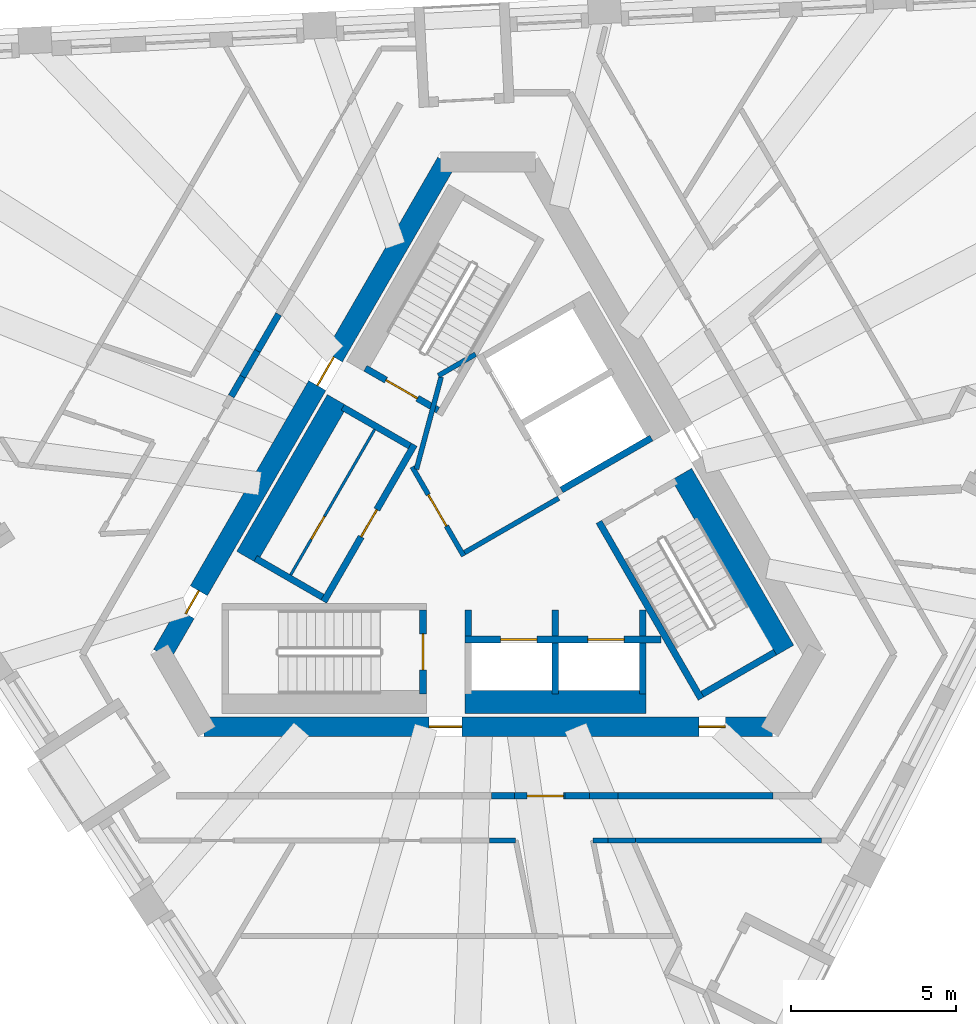
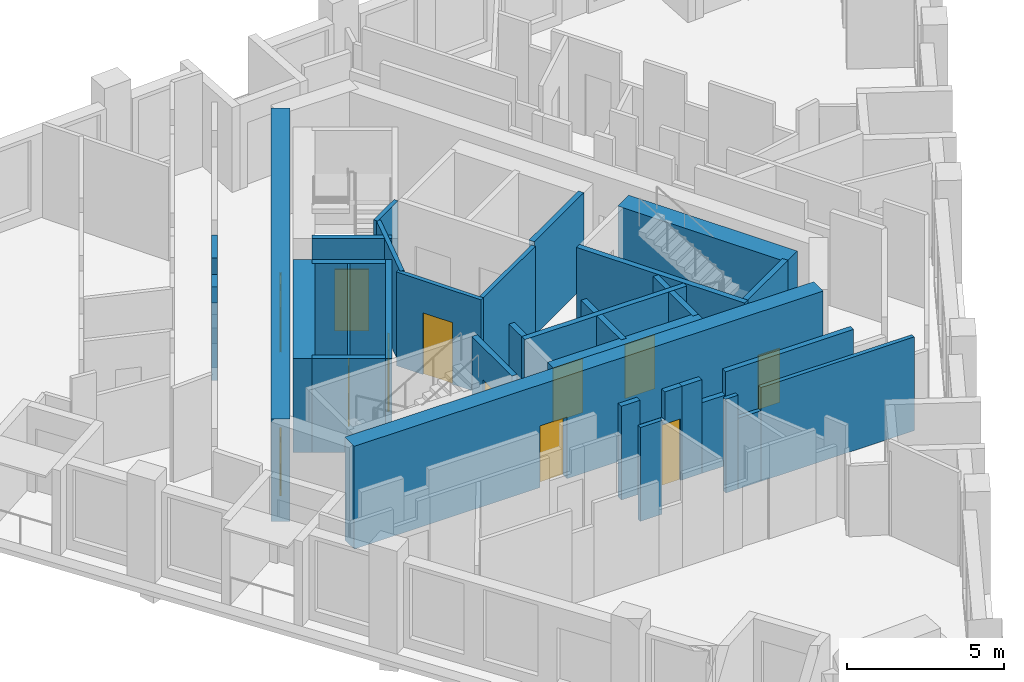
# One storey, part 4 of 12: 36 walls, 12 doors, 12 openings.
"""IFC4 building model written with IfcOpenShell, lengths in metres."""

from ifc_helpers import new_model, si_unit, direction, frame, frame_2d, origin, place, context, subcontext, project, spatial, polyline, rectangle, outline, extrude, material, layer, layer_set, type_object, element, fill, save


model = new_model("IFC4")

# Units and contexts
model_context = context("Model", 3, precision=1e-05, world=origin(), true_north=direction((0.0, 1.0)))
body_context = subcontext(model_context, "Body", "Model", "MODEL_VIEW")
ifc_project = project(units=[si_unit("LENGTHUNIT", "METRE"), si_unit("AREAUNIT", "SQUARE_METRE"), si_unit("VOLUMEUNIT", "CUBIC_METRE"), si_unit("PLANEANGLEUNIT", "RADIAN"), si_unit("MASSUNIT", "GRAM", prefix="KILO")], contexts=[model_context])

# Site, building, storey
site_placement = place(None, origin())
site = spatial("IfcSite", under=ifc_project, at=site_placement, CompositionType="ELEMENT")
building_placement = place(site_placement, origin())
building = spatial("IfcBuilding", under=site, at=building_placement, Name="Tramontana Tower", CompositionType="ELEMENT")
storey_placement = place(building_placement, frame((0.0, 0.0, 298.39990234375)))
storey = spatial("IfcBuildingStorey", under=building, at=storey_placement, Name="L70", CompositionType="ELEMENT", Elevation=298.39990234375)

# Wall, openings, doors
ifc_material_1 = material(Name="Concrete 70 MPa", Category="concrete")
ifc_layer_1 = layer(ifc_material_1, 0.60009765625)
ifc_layer_set_1 = layer_set([ifc_layer_1], Name="Core wall 600 70 MPa")
wall_type_1 = type_object("IfcWallType", Name="Core wall 600 70 MPa", PredefinedType="SHEAR", material=ifc_layer_set_1)
wall_1_placement = place(storey_placement, frame((-1.270263671875, 10.699951171875, 0.0), z_axis=(0.0, 0.0, 1.0), x_axis=(-0.499999536116, -0.866025671608, 0.0)))
wall_1 = element("IfcWall", 1, at=wall_1_placement, inside=storey, type_object=wall_type_1, Name="Core wall C1 L70", PredefinedType="SHEAR", context=body_context, shape_type="SweptSolid", body=[
    extrude(rectangle(XDim=17.2626953125, YDim=0.60009765625, at=frame_2d((8.63134765625, 0.0))), origin(), (0.0, 0.0, 1.0), 4.0),
])
opening_1_placement = place(wall_1_placement, frame((6.83642578125, 0.0, 0.0)))
opening_1 = element("IfcOpeningElement", 2, at=opening_1_placement, cuts=wall_1, Name="Opening RG1", PredefinedType="OPENING", context=body_context, shape_type="SweptSolid", body=[
    extrude(rectangle(XDim=1.0, YDim=2.39990234375, at=frame_2d((0.5, 1.199951171875))), frame((0.0, 0.31005859375, 0.0), z_axis=(0.0, -1.0, 0.0), x_axis=(1.0, 0.0, 0.0)), (0.0, 0.0, 1.0), 0.6201171875),
])
opening_2_placement = place(wall_1_placement, frame((15.0341796875, 0.0, 0.0)))
opening_2 = element("IfcOpeningElement", 3, at=opening_2_placement, cuts=wall_1, Name="Opening PD1", PredefinedType="OPENING", context=body_context, shape_type="SweptSolid", body=[
    extrude(rectangle(XDim=0.800048828125, YDim=2.10009765625, at=frame_2d((0.39990234375, 1.050048828125))), frame((0.0, 0.31005859375, 0.0), z_axis=(0.0, -1.0, 0.0), x_axis=(1.0, 0.0, 0.0)), (0.0, 0.0, 1.0), 0.6201171875),
])
ifc_material_2 = material(Name="Painted steel", Category="steel")
door_type_1 = type_object("IfcDoorType", Name="CUPBOARD DOOR 800", OperationType="SINGLE_SWING_LEFT", PredefinedType="DOOR", material=ifc_material_2)
door_1_placement = place(opening_2_placement, origin())
door_1 = element("IfcDoor", 4, at=door_1_placement, inside=storey, type_object=door_type_1, Name="Door PD1", OperationType="SINGLE_SWING_LEFT", OverallHeight=2.10009765625, OverallWidth=0.800048828125, PredefinedType="DOOR", context=body_context, shape_type="SweptSolid", body=[
    extrude(rectangle(XDim=0.800048828125, YDim=2.10009765625, at=frame_2d((0.39990234375, 1.050048828125))), frame((0.0, 0.02490234375, 0.0), z_axis=(0.0, -1.0, 0.0), x_axis=(1.0, 0.0, 0.0)), (0.0, 0.0, 1.0), 0.050048828125),
])
fill(opening_2, door_1)
ifc_material_3 = material(Name="Painted steel", Category="steel")
door_type_2 = type_object("IfcDoorType", Name="RING DOOR 1000", OperationType="SINGLE_SWING_LEFT", PredefinedType="DOOR", material=ifc_material_3)
door_2_placement = place(opening_1_placement, origin())
door_2 = element("IfcDoor", 5, at=door_2_placement, inside=storey, type_object=door_type_2, Name="Door RG1", OperationType="SINGLE_SWING_RIGHT", OverallHeight=2.39990234375, OverallWidth=1.0, PredefinedType="DOOR", context=body_context, shape_type="SweptSolid", body=[
    extrude(rectangle(XDim=1.0, YDim=2.39990234375, at=frame_2d((0.5, 1.199951171875))), frame((0.0, 0.02490234375, 0.0), z_axis=(0.0, -1.0, 0.0), x_axis=(1.0, 0.0, 0.0)), (0.0, 0.0, 1.0), 0.050048828125),
])
fill(opening_1, door_2)

wall_2_placement = place(storey_placement, frame((-8.63134765625, -6.449951171875, 0.0), z_axis=(0.0, 0.0, 1.0), x_axis=(1.0, 0.0, 0.0)))
wall_2 = element("IfcWall", 6, at=wall_2_placement, inside=storey, type_object=wall_type_1, Name="Core wall C3 L70", PredefinedType="SHEAR", context=body_context, shape_type="SweptSolid", body=[
    extrude(rectangle(XDim=17.2626953125, YDim=0.60009765625, at=frame_2d((8.63134765625, 0.0))), origin(), (0.0, 0.0, 1.0), 4.0),
])
opening_3_placement = place(wall_2_placement, frame((6.83642578125, 0.0, 0.0)))
opening_3 = element("IfcOpeningElement", 7, at=opening_3_placement, cuts=wall_2, Name="Opening RG2", PredefinedType="OPENING", context=body_context, shape_type="SweptSolid", body=[
    extrude(rectangle(XDim=1.0, YDim=2.39990234375, at=frame_2d((0.5, 1.199951171875))), frame((0.0, 0.31005859375, 0.0), z_axis=(0.0, -1.0, 0.0), x_axis=(1.0, 0.0, 0.0)), (0.0, 0.0, 1.0), 0.6201171875),
])
opening_4_placement = place(wall_2_placement, frame((15.0341796875, 0.0, 0.0)))
opening_4 = element("IfcOpeningElement", 8, at=opening_4_placement, cuts=wall_2, Name="Opening PD2", PredefinedType="OPENING", context=body_context, shape_type="SweptSolid", body=[
    extrude(rectangle(XDim=0.800048828125, YDim=2.10009765625, at=frame_2d((0.39990234375, 1.050048828125))), frame((0.0, 0.31005859375, 0.0), z_axis=(0.0, -1.0, 0.0), x_axis=(1.0, 0.0, 0.0)), (0.0, 0.0, 1.0), 0.6201171875),
])
door_3_placement = place(opening_4_placement, origin())
door_3 = element("IfcDoor", 9, at=door_3_placement, inside=storey, type_object=door_type_1, Name="Door PD2", OperationType="SINGLE_SWING_RIGHT", OverallHeight=2.10009765625, OverallWidth=0.800048828125, PredefinedType="DOOR", context=body_context, shape_type="SweptSolid", body=[
    extrude(rectangle(XDim=0.800048828125, YDim=2.10009765625, at=frame_2d((0.39990234375, 1.050048828125))), frame((0.0, 0.02490234375, 0.0), z_axis=(0.0, -1.0, 0.0), x_axis=(1.0, 0.0, 0.0)), (0.0, 0.0, 1.0), 0.050048828125),
])
fill(opening_4, door_3)
door_4_placement = place(opening_3_placement, origin())
door_4 = element("IfcDoor", 10, at=door_4_placement, inside=storey, type_object=door_type_2, Name="Door RG2", OperationType="SINGLE_SWING_LEFT", OverallHeight=2.39990234375, OverallWidth=1.0, PredefinedType="DOOR", context=body_context, shape_type="SweptSolid", body=[
    extrude(rectangle(XDim=1.0, YDim=2.39990234375, at=frame_2d((0.5, 1.199951171875))), frame((0.0, 0.02490234375, 0.0), z_axis=(0.0, -1.0, 0.0), x_axis=(1.0, 0.0, 0.0)), (0.0, 0.0, 1.0), 0.050048828125),
])
fill(opening_3, door_4)

# Walls
ifc_material_4 = material(Name="Blockwork", Category="masonry")
ifc_layer_2 = layer(ifc_material_4, 0.199951171875)
ifc_layer_set_2 = layer_set([ifc_layer_2], Name="ENTRY WALL 200")
wall_type_2 = type_object("IfcWallType", Name="ENTRY WALL 200", PredefinedType="SOLIDWALL", material=ifc_layer_set_2)
wall_3_placement = place(storey_placement, frame((8.6552734375, -8.550048828125, 0.0), z_axis=(0.0, 0.0, 1.0), x_axis=(-1.0, 0.0, 0.0)))
element("IfcWall", 11, at=wall_3_placement, inside=storey, type_object=wall_type_2, Name="Wall v72-ew1-1", PredefinedType="SOLIDWALL", context=body_context, shape_type="SweptSolid", body=[
    extrude(rectangle(XDim=4.71728515625, YDim=0.199951171875, at=frame_2d((2.358642578125, 0.0))), origin(), (0.0, 0.0, 1.0), 3.650146484375),
])
wall_4_placement = place(storey_placement, frame((3.93798828125, -8.550048828125, 0.0), z_axis=(0.0, 0.0, 1.0), x_axis=(-1.0, 0.0, 0.0)))
element("IfcWall", 12, at=wall_4_placement, inside=storey, type_object=wall_type_2, Name="Wall v72-ew1-2", PredefinedType="SOLIDWALL", context=body_context, shape_type="SweptSolid", body=[
    extrude(rectangle(XDim=0.864501953125, YDim=0.199951171875, at=frame_2d((0.43212890625, 0.0))), origin(), (0.0, 0.0, 1.0), 2.75),
])
wall_5_placement = place(storey_placement, frame((3.073486328125, -8.550048828125, 0.0), z_axis=(0.0, 0.0, 1.0), x_axis=(-1.0, 0.0, 0.0)))
element("IfcWall", 13, at=wall_5_placement, inside=storey, type_object=wall_type_2, Name="Wall v72-ew1-3", PredefinedType="SOLIDWALL", context=body_context, shape_type="SweptSolid", body=[
    extrude(rectangle(XDim=0.73828125, YDim=0.199951171875, at=frame_2d((0.369140625, 0.0))), origin(), (0.0, 0.0, 1.0), 3.650146484375),
])

# Wall, opening, door
wall_6_placement = place(storey_placement, frame((0.795166015625, -8.550048828125, 0.0), z_axis=(0.0, 0.0, 1.0), x_axis=(1.0, 0.0, 0.0)))
wall_6 = element("IfcWall", 14, at=wall_6_placement, inside=storey, type_object=wall_type_2, Name="Wall v72-ew1-4", PredefinedType="SOLIDWALL", context=body_context, shape_type="SweptSolid", body=[
    extrude(outline(polyline([(0.0, 0.0), (1.5400390625, 0.0), (1.5400390625, 3.650146484375), (0.90966796875, 3.650146484375), (0.90966796875, 2.550048828125), (0.0, 2.550048828125), (0.0, 0.0)])), frame((0.0, 0.10009765625, 0.0), z_axis=(0.0, -1.0, 0.0), x_axis=(1.0, 0.0, 0.0)), (0.0, 0.0, 1.0), 0.199951171875),
])
opening_5_placement = place(wall_6_placement, frame((0.39013671875, 0.0, 0.0)))
opening_5 = element("IfcOpeningElement", 15, at=opening_5_placement, cuts=wall_6, Name="Opening B7C-18", PredefinedType="OPENING", context=body_context, shape_type="SweptSolid", body=[
    extrude(rectangle(XDim=1.10009765625, YDim=2.39990234375, at=frame_2d((0.550048828125, 1.199951171875))), frame((0.0, 0.10986328125, 0.0), z_axis=(0.0, -1.0, 0.0), x_axis=(1.0, 0.0, 0.0)), (0.0, 0.0, 1.0), 0.219970703125),
])
ifc_material_5 = material(Name="Painted timber", Category="wood")
door_type_3 = type_object("IfcDoorType", Name="DOOR ENTRY 1100", OperationType="SINGLE_SWING_LEFT", PredefinedType="DOOR", material=ifc_material_5)
door_5_placement = place(opening_5_placement, origin())
door_5 = element("IfcDoor", 16, at=door_5_placement, inside=storey, type_object=door_type_3, Name="Door B7C-18", OperationType="SINGLE_SWING_RIGHT", OverallHeight=2.39990234375, OverallWidth=1.10009765625, PredefinedType="DOOR", context=body_context, shape_type="SweptSolid", body=[
    extrude(rectangle(XDim=1.10009765625, YDim=2.39990234375, at=frame_2d((0.550048828125, 1.199951171875))), frame((0.0, 0.02490234375, 0.0), z_axis=(0.0, -1.0, 0.0), x_axis=(1.0, 0.0, 0.0)), (0.0, 0.0, 1.0), 0.050048828125),
])
fill(opening_5, door_5)

# Walls
wall_7_placement = place(storey_placement, frame((0.795166015625, -8.550048828125, 0.0), z_axis=(0.0, 0.0, 1.0), x_axis=(-1.0, 0.0, 0.0)))
element("IfcWall", 17, at=wall_7_placement, inside=storey, type_object=wall_type_2, Name="Wall v72-ew1-5", PredefinedType="SOLIDWALL", context=body_context, shape_type="SweptSolid", body=[
    extrude(rectangle(XDim=0.69091796875, YDim=0.199951171875, at=frame_2d((0.345458984375, 0.0))), origin(), (0.0, 0.0, 1.0), 3.650146484375),
])
wall_8_placement = place(storey_placement, frame((-7.80224609375, 3.586181640625, 0.0), z_axis=(0.0, 0.0, 1.0), x_axis=(0.500242282693, 0.865885476611, 0.0)))
element("IfcWall", 18, at=wall_8_placement, inside=storey, type_object=wall_type_2, Name="Wall v72-ew3-5", PredefinedType="SOLIDWALL", context=body_context, shape_type="SweptSolid", body=[
    extrude(rectangle(XDim=0.691162109375, YDim=0.199951171875, at=frame_2d((0.345703125, 0.0))), origin(), (0.0, 0.0, 1.0), 3.650146484375),
])
wall_9_placement = place(storey_placement, frame((-7.45654296875, 4.1845703125, 0.0), z_axis=(0.0, 0.0, 1.0), x_axis=(0.499753735824, 0.866167537795, 0.0)))
element("IfcWall", 19, at=wall_9_placement, inside=storey, type_object=wall_type_2, Name="Wall v72-ew3-6", PredefinedType="SOLIDWALL", context=body_context, shape_type="SweptSolid", body=[
    extrude(rectangle(XDim=0.90087890625, YDim=0.199951171875, at=frame_2d((0.450439453125, 0.0))), origin(), (0.0, 0.0, 1.0), 2.550048828125),
])
wall_10_placement = place(storey_placement, frame((-7.00634765625, 4.96484375, 0.0), z_axis=(0.0, 0.0, 1.0), x_axis=(0.500018234033, 0.866014876105, 0.0)))
element("IfcWall", 20, at=wall_10_placement, inside=storey, type_object=wall_type_2, Name="Wall v72-ew3-7", PredefinedType="SOLIDWALL", context=body_context, shape_type="SweptSolid", body=[
    extrude(rectangle(XDim=1.2861328125, YDim=0.199951171875, at=frame_2d((0.64306640625, 0.0))), origin(), (0.0, 0.0, 1.0), 3.650146484375),
])

# Wall, opening, door
ifc_material_6 = material(Name="Gypsum board partition")
ifc_layer_3 = layer(ifc_material_6, 0.14990234375)
ifc_layer_set_3 = layer_set([ifc_layer_3], Name="PARTITION 150")
wall_type_3 = type_object("IfcWallType", Name="PARTITION 150", PredefinedType="PARTITIONING", material=ifc_layer_set_3)
wall_11_placement = place(storey_placement, frame((-0.744140625, -1.260986328125, 0.0), z_axis=(0.0, 0.0, 1.0), x_axis=(-0.500004234368, 0.866022959057, 0.0)))
wall_11 = element("IfcWall", 21, at=wall_11_placement, inside=storey, type_object=wall_type_3, Name="Wall ff-front", PredefinedType="PARTITIONING", context=body_context, shape_type="SweptSolid", body=[
    extrude(rectangle(XDim=3.125, YDim=0.14990234375, at=frame_2d((1.5625, 0.0))), origin(), (0.0, 0.0, 1.0), 3.650146484375),
])
opening_6_placement = place(wall_11_placement, frame((1.050048828125, 0.0, 0.0)))
opening_6 = element("IfcOpeningElement", 22, at=opening_6_placement, cuts=wall_11, Name="Opening FD1", PredefinedType="OPENING", context=body_context, shape_type="SweptSolid", body=[
    extrude(rectangle(XDim=1.10009765625, YDim=2.39990234375, at=frame_2d((0.550048828125, 1.199951171875))), frame((0.0, 0.0849609375, 0.0), z_axis=(0.0, -1.0, 0.0), x_axis=(1.0, 0.0, 0.0)), (0.0, 0.0, 1.0), 0.169921875),
])
door_6_placement = place(opening_6_placement, origin())
door_6 = element("IfcDoor", 23, at=door_6_placement, inside=storey, type_object=door_type_3, Name="Door FD1", OperationType="SINGLE_SWING_LEFT", OverallHeight=2.39990234375, OverallWidth=1.10009765625, PredefinedType="DOOR", context=body_context, shape_type="SweptSolid", body=[
    extrude(rectangle(XDim=1.10009765625, YDim=2.39990234375, at=frame_2d((0.550048828125, 1.199951171875))), frame((0.0, 0.02490234375, 0.0), z_axis=(0.0, -1.0, 0.0), x_axis=(1.0, 0.0, 0.0)), (0.0, 0.0, 1.0), 0.050048828125),
])
fill(opening_6, door_6)

# Walls
wall_12_placement = place(storey_placement, frame((-0.716796875, -1.15869140625, 0.0), z_axis=(0.0, 0.0, 1.0), x_axis=(0.866008176907, 0.50002983664, 0.0)))
element("IfcWall", 24, at=wall_12_placement, inside=storey, type_object=wall_type_3, Name="Wall ff-end0", PredefinedType="PARTITIONING", context=body_context, shape_type="SweptSolid", body=[
    extrude(rectangle(XDim=3.300048828125, YDim=0.14990234375, at=frame_2d((1.64990234375, 0.0))), origin(), (0.0, 0.0, 1.0), 3.650146484375),
])
wall_13_placement = place(storey_placement, frame((-2.177978515625, 1.372314453125, 0.0), z_axis=(0.0, 0.0, 1.0), x_axis=(0.258808958833, 0.96592852884, 0.0)))
element("IfcWall", 25, at=wall_13_placement, inside=storey, type_object=wall_type_3, Name="Wall ff-diag", PredefinedType="PARTITIONING", context=body_context, shape_type="SweptSolid", body=[
    extrude(rectangle(XDim=2.902587890625, YDim=0.14990234375, at=frame_2d((1.451171875, 0.0))), origin(), (0.0, 0.0, 1.0), 3.650146484375),
])
wall_14_placement = place(storey_placement, frame((-1.509765625, 4.21484375, 0.0), z_axis=(0.0, 0.0, 1.0), x_axis=(0.866085525409, 0.49989585183, 0.0)))
element("IfcWall", 26, at=wall_14_placement, inside=storey, type_object=wall_type_3, Name="Wall ff-end1", PredefinedType="PARTITIONING", context=body_context, shape_type="SweptSolid", body=[
    extrude(rectangle(XDim=1.300048828125, YDim=0.14990234375, at=frame_2d((0.64990234375, 0.0))), origin(), (0.0, 0.0, 1.0), 3.650146484375),
])
wall_15_placement = place(storey_placement, frame((0.8359375, -9.89990234375, 0.0), z_axis=(0.0, 0.0, 1.0), x_axis=(-1.0, 0.0, 0.0)))
element("IfcWall", 27, at=wall_15_placement, inside=storey, type_object=wall_type_3, Name="Wall v72-pw14-0", PredefinedType="PARTITIONING", context=body_context, shape_type="SweptSolid", body=[
    extrude(rectangle(XDim=0.798828125, YDim=0.14990234375, at=frame_2d((0.3994140625, 0.0))), origin(), (0.0, 0.0, 1.0), 3.650146484375),
])
wall_16_placement = place(storey_placement, frame((10.121337890625, -9.89990234375, 0.0), z_axis=(0.0, 0.0, 1.0), x_axis=(-1.0, 0.0, 0.0)))
element("IfcWall", 28, at=wall_16_placement, inside=storey, type_object=wall_type_3, Name="Wall v72-pw30-1", PredefinedType="PARTITIONING", context=body_context, shape_type="SweptSolid", body=[
    extrude(rectangle(XDim=5.643310546875, YDim=0.14990234375, at=frame_2d((2.82177734375, 0.0))), origin(), (0.0, 0.0, 1.0), 3.650146484375),
])
wall_17_placement = place(storey_placement, frame((4.47802734375, -9.89990234375, 0.0), z_axis=(0.0, 0.0, 1.0), x_axis=(-1.0, 0.0, 0.0)))
element("IfcWall", 29, at=wall_17_placement, inside=storey, type_object=wall_type_3, Name="Wall v72-pw30-2", PredefinedType="PARTITIONING", context=body_context, shape_type="SweptSolid", body=[
    extrude(rectangle(XDim=0.837646484375, YDim=0.14990234375, at=frame_2d((0.4189453125, 0.0))), origin(), (0.0, 0.0, 1.0), 2.75),
])
wall_18_placement = place(storey_placement, frame((3.640380859375, -9.89990234375, 0.0), z_axis=(0.0, 0.0, 1.0), x_axis=(-1.0, 0.0, 0.0)))
element("IfcWall", 30, at=wall_18_placement, inside=storey, type_object=wall_type_3, Name="Wall v72-pw30-3", PredefinedType="PARTITIONING", context=body_context, shape_type="SweptSolid", body=[
    extrude(rectangle(XDim=0.45751953125, YDim=0.14990234375, at=frame_2d((0.228759765625, 0.0))), origin(), (0.0, 0.0, 1.0), 3.650146484375),
])

# Wall, opening, door
ifc_material_7 = material(Name="Gypsum board partition")
ifc_layer_4 = layer(ifc_material_7, 0.080078125)
ifc_layer_set_4 = layer_set([ifc_layer_4], Name="PARTITION 80")
wall_type_4 = type_object("IfcWallType", Name="PARTITION 80", PredefinedType="PARTITIONING", material=ifc_layer_set_4)
wall_19_placement = place(storey_placement, frame((-5.997314453125, -1.837646484375, 0.0), z_axis=(0.0, 0.0, 1.0), x_axis=(0.500005610874, 0.86602216432, 0.0)))
wall_19 = element("IfcWall", 31, at=wall_19_placement, inside=storey, type_object=wall_type_4, Name="Wall row0-split", PredefinedType="PARTITIONING", context=body_context, shape_type="SweptSolid", body=[
    extrude(rectangle(XDim=5.10009765625, YDim=0.080078125, at=frame_2d((2.550048828125, 0.0))), origin(), (0.0, 0.0, 1.0), 3.650146484375),
])
opening_7_placement = place(wall_19_placement, frame((1.25, 0.0, 0.0)))
opening_7 = element("IfcOpeningElement", 32, at=opening_7_placement, cuts=wall_19, Name="Opening RD-0B", PredefinedType="OPENING", context=body_context, shape_type="SweptSolid", body=[
    extrude(rectangle(XDim=0.800048828125, YDim=2.10009765625, at=frame_2d((0.39990234375, 1.050048828125))), frame((0.0, 0.050048828125, 0.0), z_axis=(0.0, -1.0, 0.0), x_axis=(1.0, 0.0, 0.0)), (0.0, 0.0, 1.0), 0.10009765625),
])
door_7_placement = place(opening_7_placement, origin())
door_7 = element("IfcDoor", 33, at=door_7_placement, inside=storey, type_object=door_type_1, Name="Door RD-0B", OperationType="SINGLE_SWING_RIGHT", OverallHeight=2.10009765625, OverallWidth=0.800048828125, PredefinedType="DOOR", context=body_context, shape_type="SweptSolid", body=[
    extrude(rectangle(XDim=0.800048828125, YDim=2.10009765625, at=frame_2d((0.39990234375, 1.050048828125))), frame((0.0, 0.02490234375, 0.0), z_axis=(0.0, -1.0, 0.0), x_axis=(1.0, 0.0, 0.0)), (0.0, 0.0, 1.0), 0.050048828125),
])
fill(opening_7, door_7)

# Walls
ifc_material_8 = material(Name="Concrete 70 MPa", Category="concrete")
ifc_layer_5 = layer(ifc_material_8, 0.699951171875)
ifc_layer_set_5 = layer_set([ifc_layer_5], Name="Concrete 70 MPa, 700 mm")
wall_type_5 = type_object("IfcWallType", Name="RC SHAFT BACK WALL 700", PredefinedType="SOLIDWALL", material=ifc_layer_set_5)
wall_20_placement = place(storey_placement, frame((8.976318359375, -4.1474609375, 0.0), z_axis=(0.0, 0.0, 1.0), x_axis=(-0.49998037582, 0.866036733513, 0.0)))
element("IfcWall", 34, at=wall_20_placement, inside=storey, type_object=wall_type_5, Name="Wall st3-back", PredefinedType="SOLIDWALL", context=body_context, shape_type="SweptSolid", body=[
    extrude(rectangle(XDim=6.199951171875, YDim=0.699951171875, at=frame_2d((3.10009765625, 0.0))), origin(), (0.0, 0.0, 1.0), 3.650146484375),
])
for number, where, z_axis, x_axis, name in (
    (35, (-4.581298828125, 3.46484375, 0.0), (0.0, 0.0, 1.0), (-0.499996545922, -0.866027397988, 0.0), "Wall row0-back"),
    (36, (-0.7099609375, -5.699951171875, 0.0), (0.0, 0.0, 1.0), (1.0, 0.0, 0.0), "Wall row1-back"),
):
    element("IfcWall", number, at=place(storey_placement, frame(where, z_axis=z_axis, x_axis=x_axis)), inside=storey, type_object=wall_type_5, Name=name, PredefinedType="SOLIDWALL", context=body_context, shape_type="SweptSolid", body=[
        extrude(rectangle(XDim=5.5, YDim=0.699951171875, at=frame_2d((2.75, 0.0))), origin(), (0.0, 0.0, 1.0), 3.650146484375),
    ])

# Wall, opening, door
ifc_material_9 = material(Name="Concrete 70 MPa", Category="concrete")
ifc_layer_6 = layer(ifc_material_9, 0.199951171875)
ifc_layer_set_6 = layer_set([ifc_layer_6], Name="Concrete 70 MPa, 200 mm")
wall_type_6 = type_object("IfcWallType", Name="RC STAIR AND SHAFT WALL 200", PredefinedType="SOLIDWALL", material=ifc_layer_set_6)
wall_21_placement = place(storey_placement, frame((-1.521484375, 3.164794921875, 0.0), z_axis=(0.0, 0.0, 1.0), x_axis=(-0.866030925526, 0.499990435942, 0.0)))
wall_21 = element("IfcWall", 37, at=wall_21_placement, inside=storey, type_object=wall_type_6, Name="Wall st1-near", PredefinedType="SOLIDWALL", context=body_context, shape_type="SweptSolid", body=[
    extrude(rectangle(XDim=2.5498046875, YDim=0.199951171875, at=frame_2d((1.27490234375, 0.0))), origin(), (0.0, 0.0, 1.0), 3.650146484375),
])
opening_8_placement = place(wall_21_placement, frame((0.72509765625, 0.0, 0.0)))
opening_8 = element("IfcOpeningElement", 38, at=opening_8_placement, cuts=wall_21, Name="Opening SD1", PredefinedType="OPENING", context=body_context, shape_type="SweptSolid", body=[
    extrude(rectangle(XDim=1.10009765625, YDim=2.39990234375, at=frame_2d((0.550048828125, 1.199951171875))), frame((0.0, 0.10986328125, 0.0), z_axis=(0.0, -1.0, 0.0), x_axis=(1.0, 0.0, 0.0)), (0.0, 0.0, 1.0), 0.219970703125),
])
ifc_material_10 = material(Name="Painted steel", Category="steel")
door_type_4 = type_object("IfcDoorType", Name="STAIR DOOR 1100", OperationType="SINGLE_SWING_LEFT", PredefinedType="DOOR", material=ifc_material_10)
door_8_placement = place(opening_8_placement, origin())
door_8 = element("IfcDoor", 39, at=door_8_placement, inside=storey, type_object=door_type_4, Name="Door SD1", OperationType="SINGLE_SWING_RIGHT", OverallHeight=2.39990234375, OverallWidth=1.10009765625, PredefinedType="DOOR", context=body_context, shape_type="SweptSolid", body=[
    extrude(rectangle(XDim=1.10009765625, YDim=2.39990234375, at=frame_2d((0.550048828125, 1.199951171875))), frame((0.0, 0.02490234375, 0.0), z_axis=(0.0, -1.0, 0.0), x_axis=(1.0, 0.0, 0.0)), (0.0, 0.0, 1.0), 0.050048828125),
])
fill(opening_8, door_8)

wall_22_placement = place(storey_placement, frame((-1.97998046875, -2.89990234375, 0.0), z_axis=(0.0, 0.0, 1.0), x_axis=(0.0, -1.0, 0.0)))
wall_22 = element("IfcWall", 40, at=wall_22_placement, inside=storey, type_object=wall_type_6, Name="Wall st2-near", PredefinedType="SOLIDWALL", context=body_context, shape_type="SweptSolid", body=[
    extrude(rectangle(XDim=2.550048828125, YDim=0.199951171875, at=frame_2d((1.27490234375, 0.0))), origin(), (0.0, 0.0, 1.0), 3.650146484375),
])
opening_9_placement = place(wall_22_placement, frame((0.72509765625, 0.0, 0.0)))
opening_9 = element("IfcOpeningElement", 41, at=opening_9_placement, cuts=wall_22, Name="Opening SD2", PredefinedType="OPENING", context=body_context, shape_type="SweptSolid", body=[
    extrude(rectangle(XDim=1.10009765625, YDim=2.39990234375, at=frame_2d((0.550048828125, 1.199951171875))), frame((0.0, 0.10986328125, 0.0), z_axis=(0.0, -1.0, 0.0), x_axis=(1.0, 0.0, 0.0)), (0.0, 0.0, 1.0), 0.219970703125),
])
door_9_placement = place(opening_9_placement, origin())
door_9 = element("IfcDoor", 42, at=door_9_placement, inside=storey, type_object=door_type_4, Name="Door SD2", OperationType="SINGLE_SWING_LEFT", OverallHeight=2.39990234375, OverallWidth=1.10009765625, PredefinedType="DOOR", context=body_context, shape_type="SweptSolid", body=[
    extrude(rectangle(XDim=1.10009765625, YDim=2.39990234375, at=frame_2d((0.550048828125, 1.199951171875))), frame((0.0, 0.02490234375, 0.0), z_axis=(0.0, -1.0, 0.0), x_axis=(1.0, 0.0, 0.0)), (0.0, 0.0, 1.0), 0.050048828125),
])
fill(opening_9, door_9)

# Walls
wall_23_placement = place(storey_placement, frame((6.46484375, -5.597412109375, 0.0), z_axis=(0.0, 0.0, 1.0), x_axis=(-0.49998037582, 0.866036733513, 0.0)))
element("IfcWall", 43, at=wall_23_placement, inside=storey, type_object=wall_type_6, Name="Wall st3-front", PredefinedType="SOLIDWALL", context=body_context, shape_type="SweptSolid", body=[
    extrude(rectangle(XDim=6.199951171875, YDim=0.199951171875, at=frame_2d((3.10009765625, 0.0))), origin(), (0.0, 0.0, 1.0), 3.650146484375),
])
wall_24_placement = place(storey_placement, frame((6.50146484375, -5.4609375, 0.0), z_axis=(0.0, 0.0, 1.0), x_axis=(0.865989465428, 0.500062241894, 0.0)))
element("IfcWall", 44, at=wall_24_placement, inside=storey, type_object=wall_type_6, Name="Wall st3-far", PredefinedType="SOLIDWALL", context=body_context, shape_type="SweptSolid", body=[
    extrude(rectangle(XDim=2.550048828125, YDim=0.199951171875, at=frame_2d((1.27490234375, 0.0))), origin(), (0.0, 0.0, 1.0), 3.650146484375),
])

# Wall, opening, door
wall_25_placement = place(storey_placement, frame((-4.9931640625, -2.648193359375, 0.0), z_axis=(0.0, 0.0, 1.0), x_axis=(0.499996545922, 0.866027397988, 0.0)))
wall_25 = element("IfcWall", 45, at=wall_25_placement, inside=storey, type_object=wall_type_6, Name="Wall row0-front", PredefinedType="SOLIDWALL", context=body_context, shape_type="SweptSolid", body=[
    extrude(rectangle(XDim=5.5, YDim=0.199951171875, at=frame_2d((2.75, 0.0))), origin(), (0.0, 0.0, 1.0), 3.650146484375),
])
opening_10_placement = place(wall_25_placement, frame((2.27490234375, 0.0, 0.0)))
opening_10 = element("IfcOpeningElement", 46, at=opening_10_placement, cuts=wall_25, Name="Opening RD-0A", PredefinedType="OPENING", context=body_context, shape_type="SweptSolid", body=[
    extrude(rectangle(XDim=0.949951171875, YDim=2.39990234375, at=frame_2d((0.47509765625, 1.199951171875))), frame((0.0, 0.10986328125, 0.0), z_axis=(0.0, -1.0, 0.0), x_axis=(1.0, 0.0, 0.0)), (0.0, 0.0, 1.0), 0.219970703125),
])
ifc_material_11 = material(Name="Painted timber", Category="wood")
door_type_5 = type_object("IfcDoorType", Name="DOOR ROOM 950", OperationType="SINGLE_SWING_LEFT", PredefinedType="DOOR", material=ifc_material_11)
door_10_placement = place(opening_10_placement, origin())
door_10 = element("IfcDoor", 47, at=door_10_placement, inside=storey, type_object=door_type_5, Name="Door RD-0A", OperationType="SINGLE_SWING_LEFT", OverallHeight=2.39990234375, OverallWidth=0.949951171875, PredefinedType="DOOR", context=body_context, shape_type="SweptSolid", body=[
    extrude(rectangle(XDim=0.949951171875, YDim=2.39990234375, at=frame_2d((0.47509765625, 1.199951171875))), frame((0.0, 0.02490234375, 0.0), z_axis=(0.0, -1.0, 0.0), x_axis=(1.0, 0.0, 0.0)), (0.0, 0.0, 1.0), 0.050048828125),
])
fill(opening_10, door_10)

# Walls
wall_26_placement = place(storey_placement, frame((-2.379638671875, 2.078369140625, 0.0), z_axis=(0.0, 0.0, 1.0), x_axis=(-0.866061024631, 0.499938297808, 0.0)))
element("IfcWall", 48, at=wall_26_placement, inside=storey, type_object=wall_type_6, Name="Wall row0-side0", PredefinedType="SOLIDWALL", context=body_context, shape_type="SweptSolid", body=[
    extrude(rectangle(XDim=2.349853515625, YDim=0.199951171875, at=frame_2d((1.1748046875, 0.0))), origin(), (0.0, 0.0, 1.0), 3.650146484375),
])
wall_27_placement = place(storey_placement, frame((-5.02978515625, -2.51171875, 0.0), z_axis=(0.0, 0.0, 1.0), x_axis=(-0.866016039709, 0.500016218704, 0.0)))
element("IfcWall", 49, at=wall_27_placement, inside=storey, type_object=wall_type_6, Name="Wall row0-side2", PredefinedType="SOLIDWALL", context=body_context, shape_type="SweptSolid", body=[
    extrude(rectangle(XDim=2.35009765625, YDim=0.199951171875, at=frame_2d((1.175048828125, 0.0))), origin(), (0.0, 0.0, 1.0), 3.650146484375),
])

# Wall, openings, doors
wall_28_placement = place(storey_placement, frame((-0.7099609375, -3.800048828125, 0.0), z_axis=(0.0, 0.0, 1.0), x_axis=(1.0, 0.0, 0.0)))
wall_28 = element("IfcWall", 50, at=wall_28_placement, inside=storey, type_object=wall_type_6, Name="Wall row1-front", PredefinedType="SOLIDWALL", context=body_context, shape_type="SweptSolid", body=[
    extrude(rectangle(XDim=5.96142578125, YDim=0.199951171875, at=frame_2d((2.980712890625, 0.0))), origin(), (0.0, 0.0, 1.0), 3.650146484375),
])
opening_11_placement = place(wall_28_placement, frame((1.090087890625, 0.0, 0.0)))
opening_11 = element("IfcOpeningElement", 51, at=opening_11_placement, cuts=wall_28, Name="Opening LD-S1", PredefinedType="OPENING", context=body_context, shape_type="SweptSolid", body=[
    extrude(rectangle(XDim=1.10009765625, YDim=2.10009765625, at=frame_2d((0.550048828125, 1.050048828125))), frame((0.0, 0.10986328125, 0.0), z_axis=(0.0, -1.0, 0.0), x_axis=(1.0, 0.0, 0.0)), (0.0, 0.0, 1.0), 0.219970703125),
])
opening_12_placement = place(wall_28_placement, frame((3.739990234375, 0.0, 0.0)))
opening_12 = element("IfcOpeningElement", 52, at=opening_12_placement, cuts=wall_28, Name="Opening LD-S2", PredefinedType="OPENING", context=body_context, shape_type="SweptSolid", body=[
    extrude(rectangle(XDim=1.10009765625, YDim=2.10009765625, at=frame_2d((0.550048828125, 1.050048828125))), frame((0.0, 0.10986328125, 0.0), z_axis=(0.0, -1.0, 0.0), x_axis=(1.0, 0.0, 0.0)), (0.0, 0.0, 1.0), 0.219970703125),
])
ifc_material_12 = material(Name="Brushed steel", Category="steel")
door_type_6 = type_object("IfcDoorType", Name="LANDING DOOR 1100", OperationType="SINGLE_SWING_LEFT", PredefinedType="DOOR", material=ifc_material_12)
door_11_placement = place(opening_11_placement, origin())
door_11 = element("IfcDoor", 53, at=door_11_placement, inside=storey, type_object=door_type_6, Name="Door LD-S1", OperationType="SLIDING_TO_LEFT", OverallHeight=2.10009765625, OverallWidth=1.10009765625, PredefinedType="DOOR", context=body_context, shape_type="SweptSolid", body=[
    extrude(rectangle(XDim=1.10009765625, YDim=2.10009765625, at=frame_2d((0.550048828125, 1.050048828125))), frame((0.0, 0.02490234375, 0.0), z_axis=(0.0, -1.0, 0.0), x_axis=(1.0, 0.0, 0.0)), (0.0, 0.0, 1.0), 0.050048828125),
])
fill(opening_11, door_11)
door_12_placement = place(opening_12_placement, origin())
door_12 = element("IfcDoor", 54, at=door_12_placement, inside=storey, type_object=door_type_6, Name="Door LD-S2", OperationType="SLIDING_TO_RIGHT", OverallHeight=2.10009765625, OverallWidth=1.10009765625, PredefinedType="DOOR", context=body_context, shape_type="SweptSolid", body=[
    extrude(rectangle(XDim=1.10009765625, YDim=2.10009765625, at=frame_2d((0.550048828125, 1.050048828125))), frame((0.0, 0.02490234375, 0.0), z_axis=(0.0, -1.0, 0.0), x_axis=(1.0, 0.0, 0.0)), (0.0, 0.0, 1.0), 0.050048828125),
])
fill(opening_12, door_12)

# Walls
wall_29_placement = place(storey_placement, frame((-0.610107421875, -2.89990234375, 0.0), z_axis=(0.0, 0.0, 1.0), x_axis=(0.0, -1.0, 0.0)))
element("IfcWall", 55, at=wall_29_placement, inside=storey, type_object=wall_type_6, Name="Wall row1-side0-ret", PredefinedType="SOLIDWALL", context=body_context, shape_type="SweptSolid", body=[
    extrude(rectangle(XDim=0.800048828125, YDim=0.199951171875, at=frame_2d((0.39990234375, 0.0))), origin(), (0.0, 0.0, 1.0), 3.650146484375),
])
wall_30_placement = place(storey_placement, frame((2.0400390625, -3.89990234375, 0.0), z_axis=(0.0, 0.0, 1.0), x_axis=(0.0, -1.0, 0.0)))
element("IfcWall", 56, at=wall_30_placement, inside=storey, type_object=wall_type_6, Name="Wall row1-side1", PredefinedType="SOLIDWALL", context=body_context, shape_type="SweptSolid", body=[
    extrude(rectangle(XDim=1.550048828125, YDim=0.199951171875, at=frame_2d((0.77490234375, 0.0))), origin(), (0.0, 0.0, 1.0), 3.650146484375),
])
wall_31_placement = place(storey_placement, frame((2.0400390625, -2.89990234375, 0.0), z_axis=(0.0, 0.0, 1.0), x_axis=(0.0, -1.0, 0.0)))
element("IfcWall", 57, at=wall_31_placement, inside=storey, type_object=wall_type_6, Name="Wall row1-side1-ret", PredefinedType="SOLIDWALL", context=body_context, shape_type="SweptSolid", body=[
    extrude(rectangle(XDim=0.800048828125, YDim=0.199951171875, at=frame_2d((0.39990234375, 0.0))), origin(), (0.0, 0.0, 1.0), 3.650146484375),
])
wall_32_placement = place(storey_placement, frame((4.68994140625, -3.89990234375, 0.0), z_axis=(0.0, 0.0, 1.0), x_axis=(0.0, -1.0, 0.0)))
element("IfcWall", 58, at=wall_32_placement, inside=storey, type_object=wall_type_6, Name="Wall row1-side2", PredefinedType="SOLIDWALL", context=body_context, shape_type="SweptSolid", body=[
    extrude(rectangle(XDim=1.550048828125, YDim=0.199951171875, at=frame_2d((0.77490234375, 0.0))), origin(), (0.0, 0.0, 1.0), 3.650146484375),
])
wall_33_placement = place(storey_placement, frame((4.68994140625, -2.89990234375, 0.0), z_axis=(0.0, 0.0, 1.0), x_axis=(0.0, -1.0, 0.0)))
element("IfcWall", 59, at=wall_33_placement, inside=storey, type_object=wall_type_6, Name="Wall row1-side2-ret", PredefinedType="SOLIDWALL", context=body_context, shape_type="SweptSolid", body=[
    extrude(rectangle(XDim=0.800048828125, YDim=0.199951171875, at=frame_2d((0.39990234375, 0.0))), origin(), (0.0, 0.0, 1.0), 3.650146484375),
])
wall_34_placement = place(storey_placement, frame((2.226806640625, 0.742919921875, 0.0), z_axis=(0.0, 0.0, 1.0), x_axis=(0.866035871367, 0.499981869177, 0.0)))
element("IfcWall", 60, at=wall_34_placement, inside=storey, type_object=wall_type_6, Name="Wall row2-side0", PredefinedType="SOLIDWALL", context=body_context, shape_type="SweptSolid", body=[
    extrude(rectangle(XDim=3.14990234375, YDim=0.199951171875, at=frame_2d((1.574951171875, 0.0))), origin(), (0.0, 0.0, 1.0), 3.650146484375),
])

save(model, "model.ifc")
